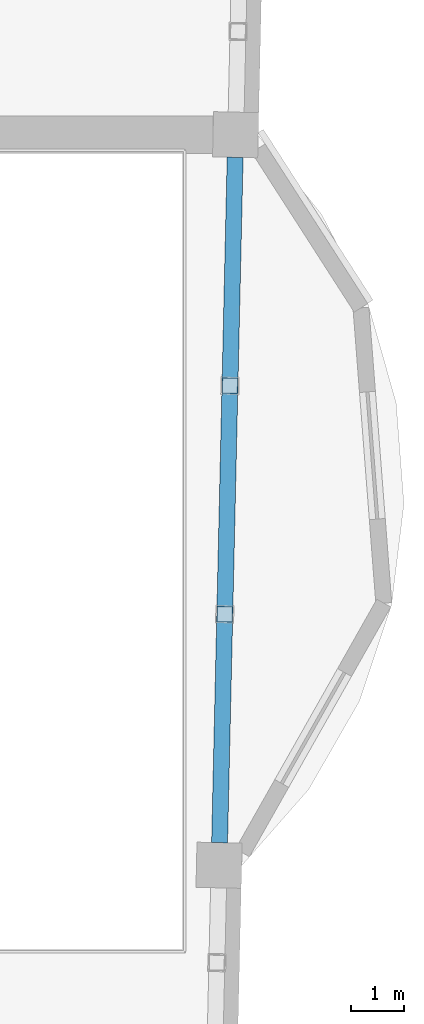
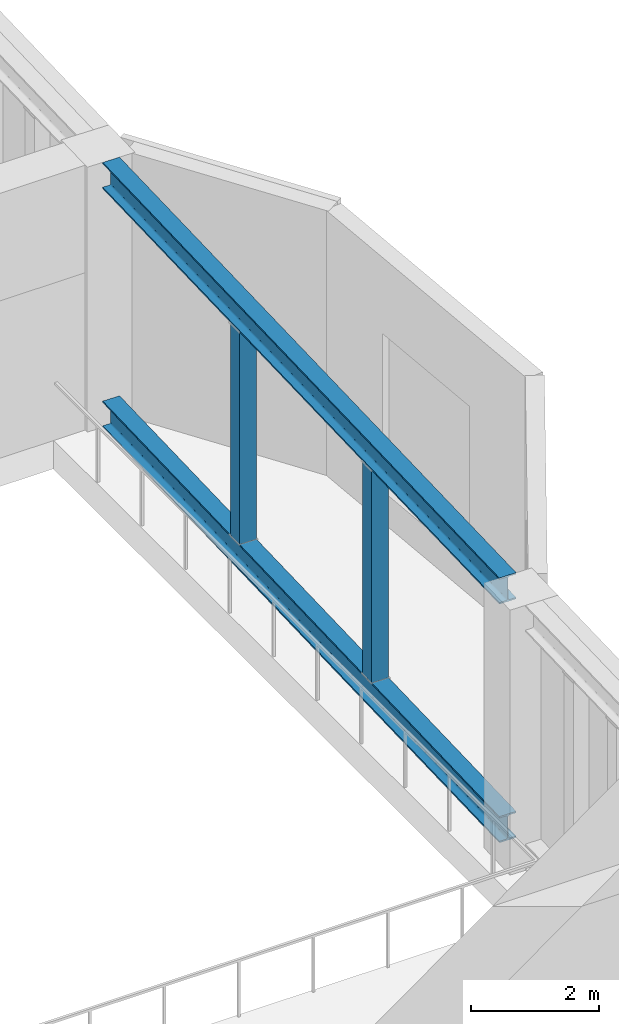
# One storey, part 5 of 16: 4 members.
"""IFC4 building model written with IfcOpenShell, lengths in metres."""

import ifcopenshell
import ifcopenshell.guid

model = None  # the IFC model being written
_history = None  # IfcOwnerHistory: only IFC2X3 demands one
_inside = {}  # id of a spatial element -> (the spatial element, [elements in it])
_under = {}  # id of a project, library or spatial element -> (it, [spatial elements below it])
_declared = {}  # id of a project -> (the project, [libraries it declares])
_typed = {}  # id of a type object -> (the type object, [elements of that type])
_made_of = {}  # id of a material, layer set ... -> (it, [elements and type objects made of it])


def new_model(schema):
    """Start an empty IFC model of exactly this schema.

    Asked for "IFC4X3", IfcOpenShell would pick the latest addendum, in which some entities
    have other attributes; the version numbers below select the first issue.
    IFC2X3 requires an IfcOwnerHistory on every rooted entity: one is made here for all.
    """
    global model, _history
    if schema == "IFC4X3":
        model = ifcopenshell.file(schema_version=(4, 3, 0, 0))
    else:
        model = ifcopenshell.file(schema=schema)
    _inside.clear()
    _under.clear()
    _declared.clear()
    _typed.clear()
    _made_of.clear()
    _history = None
    if model.schema == "IFC2X3":
        org = make("IfcOrganization", Name="unknown")
        user = make(
            "IfcPersonAndOrganization",
            ThePerson=make("IfcPerson", FamilyName="unknown"),
            TheOrganization=org,
        )
        app = make(
            "IfcApplication",
            ApplicationDeveloper=org,
            Version="unknown",
            ApplicationFullName="unknown",
            ApplicationIdentifier="unknown",
        )
        _history = make(
            "IfcOwnerHistory",
            OwningUser=user,
            OwningApplication=app,
            ChangeAction="ADDED",
            CreationDate=0,
        )
    return model


def make(cls, **values):
    """One entity of the class cls with the attributes given. An attribute that is None is left unset."""
    return model.create_entity(
        cls, **{name: value for name, value in values.items() if value is not None}
    )


def rooted(cls, **values):
    """An entity with a GlobalId (a new one), such as an element, a storey or a relation."""
    return make(cls, GlobalId=ifcopenshell.guid.new(), OwnerHistory=_history, **values)


def si_unit(unit_type, name, prefix=None):
    """IfcSIUnit, for example si_unit("LENGTHUNIT", "METRE", prefix="MILLI")."""
    return make("IfcSIUnit", UnitType=unit_type, Prefix=prefix, Name=name)


def assignment(units):
    """IfcUnitAssignment: the units of a project."""
    return None if units is None else make("IfcUnitAssignment", Units=units)


def point(xyz):
    """IfcCartesianPoint."""
    return None if xyz is None else make("IfcCartesianPoint", Coordinates=xyz)


def direction(xyz):
    """IfcDirection."""
    return None if xyz is None else make("IfcDirection", DirectionRatios=xyz)


def frame(location, z_axis=None, x_axis=None):
    """IfcAxis2Placement3D, a coordinate frame: its origin and axes. An axis left out is left unset."""
    return make(
        "IfcAxis2Placement3D",
        Location=point(location),
        Axis=direction(z_axis),
        RefDirection=direction(x_axis),
    )


def frame_2d(location, x_axis=None):
    """IfcAxis2Placement2D, a coordinate frame in the plane: its origin and x axis."""
    return make(
        "IfcAxis2Placement2D", Location=point(location), RefDirection=direction(x_axis)
    )


def origin():
    """The frame at (0, 0, 0) with its axes left unset."""
    return frame((0.0, 0.0, 0.0))


def origin_2d():
    """The frame at (0, 0) in the plane with its x axis left unset."""
    return frame_2d((0.0, 0.0))


def place(relative_to, where):
    """IfcLocalPlacement: puts the frame where relative to a parent placement (None: the world)."""
    return make(
        "IfcLocalPlacement", PlacementRelTo=relative_to, RelativePlacement=where
    )


def context(
    kind, dimensions, precision=None, world=None, true_north=None, identifier=None
):
    """IfcGeometricRepresentationContext, for example the 3D "Model" context."""
    return make(
        "IfcGeometricRepresentationContext",
        ContextIdentifier=identifier,
        ContextType=kind,
        CoordinateSpaceDimension=dimensions,
        Precision=precision,
        WorldCoordinateSystem=world,
        TrueNorth=true_north,
    )


def subcontext(parent, identifier, kind, view, scale=None):
    """IfcGeometricRepresentationSubContext, for example "Body" below "Model"."""
    return make(
        "IfcGeometricRepresentationSubContext",
        ContextIdentifier=identifier,
        ContextType=kind,
        ParentContext=parent,
        TargetScale=scale,
        TargetView=view,
    )


def project(units=None, contexts=None):
    """IfcProject with its units and contexts."""
    return rooted(
        "IfcProject",
        Name="project",
        RepresentationContexts=contexts,
        UnitsInContext=assignment(units),
    )


def spatial(cls, under=None, at=None, **own):
    """A site, building, storey or space (cls), placed at a placement, below another one or the project."""
    s = rooted(cls, ObjectPlacement=at, **own)
    if under is not None:
        _under.setdefault(under.id(), (under, []))[1].append(s)
    return s


def profile(cls, at=None, kind="AREA", **sizes):
    """A parametric profile (cls). Its sizes go by their IFC names, for example OverallWidth=200.0."""
    return make(cls, ProfileType=kind, Position=at, **sizes)


def hollow_rectangle(**sizes):
    """IfcRectangleHollowProfileDef."""
    return profile("IfcRectangleHollowProfileDef", **sizes)


def i_section(**sizes):
    """IfcIShapeProfileDef."""
    return profile("IfcIShapeProfileDef", **sizes)


def extrude(swept, where, along, depth):
    """IfcExtrudedAreaSolid: the profile swept, set in the frame where, extruded along a direction by depth."""
    return make(
        "IfcExtrudedAreaSolid",
        SweptArea=swept,
        Position=where,
        ExtrudedDirection=direction(along),
        Depth=depth,
    )


def shape(context_of_items, identifier, shape_type, items):
    """IfcShapeRepresentation: the items that make up one representation, for example the "Body"."""
    return make(
        "IfcShapeRepresentation",
        ContextOfItems=context_of_items,
        RepresentationIdentifier=identifier,
        RepresentationType=shape_type,
        Items=items,
    )


def material(Name=None, Category=None):
    """IfcMaterial."""
    return make("IfcMaterial", Name=Name, Category=Category)


def material_profile(
    of_material, cross_section, Name=None, Category=None, Priority=None
):
    """IfcMaterialProfile: a cross section and its material."""
    return make(
        "IfcMaterialProfile",
        Name=Name,
        Material=of_material,
        Profile=cross_section,
        Priority=Priority,
        Category=Category,
    )


def profile_set(profiles, Name=None, composite=None):
    """IfcMaterialProfileSet."""
    return make(
        "IfcMaterialProfileSet",
        Name=Name,
        MaterialProfiles=profiles,
        CompositeProfile=composite,
    )


def made_of(thing, what):
    """Note that an element or type object is made of a material, layer set ...; save() writes the relation."""
    if what is not None:
        _made_of.setdefault(what.id(), (what, []))[1].append(thing)
    return thing


def type_object(cls, material=None, **own):
    """A type object (cls), such as IfcWallType, which elements share."""
    return made_of(rooted(cls, **own), material)


def element(
    cls,
    number,
    at=None,
    inside=None,
    cuts=None,
    type_object=None,
    material=None,
    context=None,
    identifier="Body",
    shape_type=None,
    held_by="IfcProductDefinitionShape",
    body=None,
    shapes=None,
    **own,
):
    """One element of the class cls, such as IfcWall. Its Tag is "e" and its number.

    at: its placement. inside: the storey or other place that contains it. cuts: it is an
    opening in that element (IfcRelVoidsElement). A single representation is given by context,
    identifier, shape_type and body (its items); several are given by shapes. held_by: the class
    of the entity that holds the representations. save() writes the other relations.
    """
    e = rooted(cls, Tag="e%d" % number, ObjectPlacement=at, **own)
    if body is not None:
        shapes = [shape(context, identifier, shape_type, body)]
    if shapes is not None:
        e.Representation = make(held_by, Representations=shapes)
    if inside is not None:
        _inside.setdefault(inside.id(), (inside, []))[1].append(e)
    if cuts is not None:
        rooted(
            "IfcRelVoidsElement", RelatingBuildingElement=cuts, RelatedOpeningElement=e
        )
    if type_object is not None:
        _typed.setdefault(type_object.id(), (type_object, []))[1].append(e)
    return made_of(e, material)


def aggregate(whole, parts):
    """IfcRelAggregates: a whole, such as a stair, and the parts it consists of."""
    return rooted("IfcRelAggregates", RelatingObject=whole, RelatedObjects=parts)


def save(model, path):
    """Write the relations noted so far, then the file.

    IfcRelAggregates (storeys below a building ...), IfcRelContainedInSpatialStructure (elements
    in a storey), IfcRelDefinesByType, IfcRelAssociatesMaterial and IfcRelDeclares: one each for
    every whole, place, type object, material and project.
    """
    for whole, parts in _under.values():
        aggregate(whole, parts)
    for where, things in _inside.values():
        rooted(
            "IfcRelContainedInSpatialStructure",
            RelatedElements=things,
            RelatingStructure=where,
        )
    for kind, things in _typed.values():
        rooted("IfcRelDefinesByType", RelatedObjects=things, RelatingType=kind)
    for what, things in _made_of.values():
        rooted("IfcRelAssociatesMaterial", RelatedObjects=things, RelatingMaterial=what)
    for by, libraries in _declared.values():
        rooted("IfcRelDeclares", RelatingContext=by, RelatedDefinitions=libraries)
    model.write(path)


model = new_model("IFC4")

# Units and contexts
model_context = context("Model", 3, precision=1e-05, world=origin(), true_north=direction((0.0, 1.0)))
body_context = subcontext(model_context, "Body", "Model", "MODEL_VIEW")
ifc_project = project(units=[si_unit("LENGTHUNIT", "METRE"), si_unit("AREAUNIT", "SQUARE_METRE"), si_unit("VOLUMEUNIT", "CUBIC_METRE"), si_unit("PLANEANGLEUNIT", "RADIAN"), si_unit("MASSUNIT", "GRAM", prefix="KILO")], contexts=[model_context])

# Site, building, storey
site_placement = place(None, origin())
site = spatial("IfcSite", under=ifc_project, at=site_placement, CompositionType="ELEMENT")
building_placement = place(site_placement, origin())
building = spatial("IfcBuilding", under=site, at=building_placement, Name="Mangrove Gate Tower", CompositionType="ELEMENT")
storey_placement = place(building_placement, frame((0.0, 0.0, 324.10009765625)))
storey = spatial("IfcBuildingStorey", under=building, at=storey_placement, Name="L83", CompositionType="ELEMENT", Elevation=324.10009765625)

# Members
ifc_material_1 = material(Name="Steel S355J2", Category="steel")
ifc_material_profile_1 = material_profile(ifc_material_1, i_section(OverallWidth=0.300048828125, OverallDepth=0.5, WebThickness=0.014404296875, FlangeThickness=0.028076171875, FilletRadius=0.027099609375, at=origin_2d()))
ifc_profile_set_1 = profile_set([ifc_material_profile_1], Name="Steel S355J2")
member_type_1 = type_object("IfcMemberType", Name="Belt truss chord HE 500 B", PredefinedType="CHORD", material=ifc_profile_set_1)
for number, where, z_axis, x_axis, name in (
    (1, (28.620849609375, -5.487548828125, 0.25), (0.022690883298, 0.999742528762, 0.0), (-0.999742528762, 0.022690883298, 0.0), "Belt truss bottom chord L83 17"),
    (2, (28.620849609375, -5.487548828125, 4.7998046875), (0.022690883298, 0.999742528762, 0.0), (-0.999742528762, 0.022690883298, 0.0), "Belt truss top chord L83 17"),
):
    element("IfcMember", number, at=place(storey_placement, frame(where, z_axis=z_axis, x_axis=x_axis)), inside=storey, type_object=member_type_1, Name=name, PredefinedType="CHORD", context=body_context, shape_type="SweptSolid", body=[
        extrude(i_section(OverallWidth=0.300048828125, OverallDepth=0.5, WebThickness=0.014404296875, FlangeThickness=0.028076171875, FilletRadius=0.027099609375, at=origin_2d()), origin(), (0.0, 0.0, 1.0), 12.900634765625),
    ])
ifc_material_2 = material(Name="Steel S355J2H", Category="steel")
ifc_material_profile_2 = material_profile(ifc_material_2, hollow_rectangle(XDim=0.300048828125, YDim=0.300048828125, WallThickness=0.012451171875, at=origin_2d()))
ifc_profile_set_2 = profile_set([ifc_material_profile_2], Name="Steel S355J2H")
member_type_2 = type_object("IfcMemberType", Name="Belt truss post SHS 300x300x12.5", PredefinedType="POST", material=ifc_profile_set_2)
for number, where, z_axis, x_axis, name in (
    (3, (28.71826171875, -1.1884765625, 0.5), (0.0, 0.0, 1.0), (0.022690073034, 0.999742547152, 0.0), "Belt truss post L83 17-1"),
    (4, (28.81591796875, 3.110595703125, 0.5), (0.0, 0.0, 1.0), (0.022690073034, 0.999742547152, 0.0), "Belt truss post L83 17-2"),
):
    element("IfcMember", number, at=place(storey_placement, frame(where, z_axis=z_axis, x_axis=x_axis)), inside=storey, type_object=member_type_2, Name=name, PredefinedType="POST", context=body_context, shape_type="SweptSolid", body=[
        extrude(hollow_rectangle(XDim=0.300048828125, YDim=0.300048828125, WallThickness=0.012451171875, at=origin_2d()), origin(), (0.0, 0.0, 1.0), 4.0498046875),
    ])

save(model, "model.ifc")
